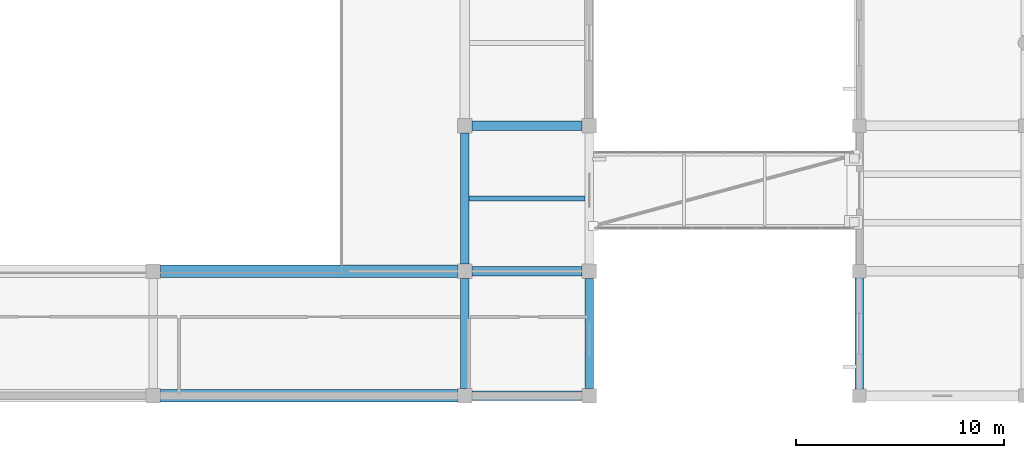
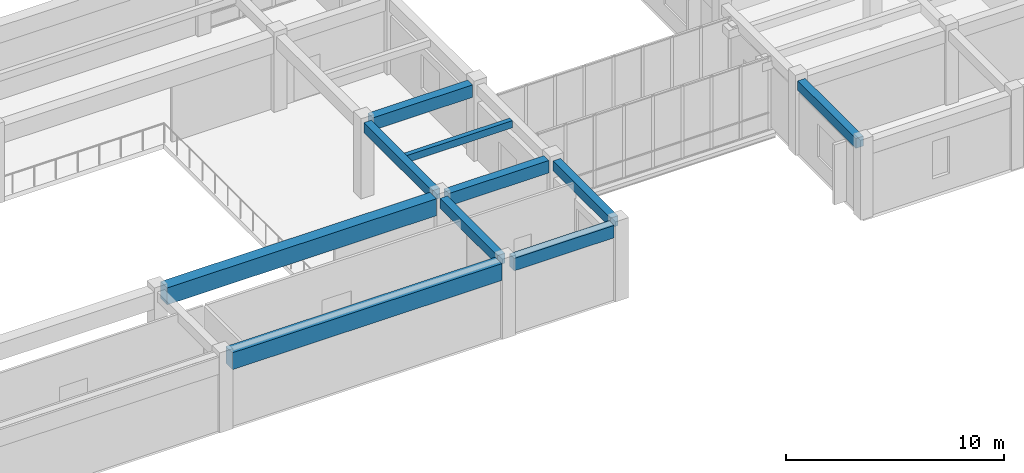
# One storey, part 5 of 70: 10 beams.
"""IFC4 building model written with IfcOpenShell, lengths in metres."""

from ifc_helpers import new_model, si_unit, direction, frame, origin, origin_2d, place, context, subcontext, project, spatial, rectangle, extrude, material, material_profile, profile_set, type_object, element, save


model = new_model("IFC4")

# Units and contexts
model_context = context("Model", 3, precision=1e-05, world=origin(), true_north=direction((0.0, 1.0)))
body_context = subcontext(model_context, "Body", "Model", "MODEL_VIEW")
ifc_project = project(units=[si_unit("LENGTHUNIT", "METRE"), si_unit("AREAUNIT", "SQUARE_METRE"), si_unit("VOLUMEUNIT", "CUBIC_METRE"), si_unit("PLANEANGLEUNIT", "RADIAN"), si_unit("MASSUNIT", "GRAM", prefix="KILO")], contexts=[model_context])

# Site, building, storey
site_placement = place(None, origin())
site = spatial("IfcSite", under=ifc_project, at=site_placement, CompositionType="ELEMENT")
building_placement = place(site_placement, origin())
building = spatial("IfcBuilding", under=site, at=building_placement, Name="Naurynzar Civic Courthouse", CompositionType="ELEMENT")
storey_placement = place(building_placement, frame((0.0, 0.0, 5.39990234375)))
storey = spatial("IfcBuildingStorey", under=building, at=storey_placement, Name="L02", CompositionType="ELEMENT", Elevation=5.39990234375)

# Beams
ifc_material_1 = material(Name="Concrete C40/50", Category="concrete")
ifc_material_profile_1 = material_profile(ifc_material_1, rectangle(XDim=0.25, YDim=0.39990234375, at=origin_2d()), Name="RCB 250x400")
ifc_profile_set_1 = profile_set([ifc_material_profile_1], Name="Concrete C40/50")
beam_type_1 = type_object("IfcBeamType", Name="BM-JST-250x400", PredefinedType="JOIST", material=ifc_profile_set_1)
beam_1_placement = place(storey_placement, frame((50.199951171875, 13.5, 4.030029296875), z_axis=(1.0, 0.0, 0.0), x_axis=(0.0, 1.0, 0.0)))
element("IfcBeam", 1, at=beam_1_placement, inside=storey, type_object=beam_type_1, Name="V4 secondary rib 1850 L02", PredefinedType="JOIST", context=body_context, shape_type="SweptSolid", body=[
    extrude(rectangle(XDim=0.25, YDim=0.39990234375, at=origin_2d()), origin(), (0.0, 0.0, 1.0), 5.60009765625),
])
ifc_material_2 = material(Name="Concrete C40/50", Category="concrete")
ifc_material_profile_2 = material_profile(ifc_material_2, rectangle(XDim=0.60009765625, YDim=0.949951171875, at=origin_2d()), Name="PTB 600x950")
ifc_profile_set_2 = profile_set([ifc_material_profile_2], Name="Concrete C40/50")
beam_type_2 = type_object("IfcBeamType", Name="BM-PT-600x950", PredefinedType="T_BEAM", material=ifc_profile_set_2)
for number, where, z_axis, x_axis, name in (
    (2, (35.35009765625, 4.0, 3.755126953125), (1.0, 0.0, 0.0), (0.0, 1.0, 0.0), "V4 beam X-1806 L02"),
    (3, (35.35009765625, 10.0, 3.755126953125), (1.0, 0.0, 0.0), (0.0, 1.0, 0.0), "V4 beam X-1811 L02"),
):
    element("IfcBeam", number, at=place(storey_placement, frame(where, z_axis=z_axis, x_axis=x_axis)), inside=storey, type_object=beam_type_2, Name=name, PredefinedType="T_BEAM", context=body_context, shape_type="SweptSolid", body=[
        extrude(rectangle(XDim=0.60009765625, YDim=0.949951171875, at=origin_2d()), origin(), (0.0, 0.0, 1.0), 14.2998046875),
    ])
ifc_material_3 = material(Name="Concrete C40/50", Category="concrete")
ifc_material_profile_3 = material_profile(ifc_material_3, rectangle(XDim=0.39990234375, YDim=0.550048828125, at=origin_2d()), Name="RCB 400x550")
ifc_profile_set_3 = profile_set([ifc_material_profile_3], Name="Concrete C40/50")
beam_type_3 = type_object("IfcBeamType", Name="BM-RC-400x550", PredefinedType="BEAM", material=ifc_profile_set_3)
beam_2_placement = place(storey_placement, frame((69.0, 4.324951171875, 3.885009765625), z_axis=(0.0, 1.0, 0.0), x_axis=(-1.0, 0.0, 0.0)))
element("IfcBeam", 4, at=beam_2_placement, inside=storey, type_object=beam_type_3, Name="V3 girder Y-1369 L02", PredefinedType="BEAM", context=body_context, shape_type="SweptSolid", body=[
    extrude(rectangle(XDim=0.39990234375, YDim=0.550048828125, at=origin_2d()), origin(), (0.0, 0.0, 1.0), 5.35009765625),
])
beam_3_placement = place(storey_placement, frame((50.0, 4.35009765625, 3.955078125), z_axis=(0.0, 1.0, 0.0), x_axis=(-1.0, 0.0, 0.0)))
element("IfcBeam", 5, at=beam_3_placement, inside=storey, type_object=beam_type_3, Name="V4 girder Y-1840 L02", PredefinedType="BEAM", context=body_context, shape_type="SweptSolid", body=[
    extrude(rectangle(XDim=0.39990234375, YDim=0.550048828125, at=origin_2d()), origin(), (0.0, 0.0, 1.0), 5.2998046875),
])
beam_4_placement = place(storey_placement, frame((50.0, 10.35009765625, 3.955078125), z_axis=(0.0, 1.0, 0.0), x_axis=(-1.0, 0.0, 0.0)))
element("IfcBeam", 6, at=beam_4_placement, inside=storey, type_object=beam_type_3, Name="V4 girder Y-1841 L02", PredefinedType="BEAM", context=body_context, shape_type="SweptSolid", body=[
    extrude(rectangle(XDim=0.39990234375, YDim=0.550048828125, at=origin_2d()), origin(), (0.0, 0.0, 1.0), 6.2998046875),
])
beam_5_placement = place(storey_placement, frame((56.0, 4.35009765625, 3.955078125), z_axis=(0.0, 1.0, 0.0), x_axis=(-1.0, 0.0, 0.0)))
element("IfcBeam", 7, at=beam_5_placement, inside=storey, type_object=beam_type_3, Name="V4 girder Y-1844 L02", PredefinedType="BEAM", context=body_context, shape_type="SweptSolid", body=[
    extrude(rectangle(XDim=0.39990234375, YDim=0.550048828125, at=origin_2d()), origin(), (0.0, 0.0, 1.0), 5.2998046875),
])
ifc_material_4 = material(Name="Concrete C40/50", Category="concrete")
ifc_material_profile_4 = material_profile(ifc_material_4, rectangle(XDim=0.449951171875, YDim=0.699951171875, at=origin_2d()), Name="RCB 450x700")
ifc_profile_set_4 = profile_set([ifc_material_profile_4], Name="Concrete C40/50")
beam_type_4 = type_object("IfcBeamType", Name="BM-RC-450x700", PredefinedType="BEAM", material=ifc_profile_set_4)
for number, where, z_axis, x_axis, name in (
    (8, (50.35009765625, 4.0, 3.880126953125), (1.0, 0.0, 0.0), (0.0, 1.0, 0.0), "V4 beam X-1807 L02"),
    (9, (50.35009765625, 10.0, 3.880126953125), (1.0, 0.0, 0.0), (0.0, 1.0, 0.0), "V4 beam X-1812 L02"),
    (10, (50.35009765625, 17.0, 3.880126953125), (1.0, 0.0, 0.0), (0.0, 1.0, 0.0), "V4 beam X-1815 L02"),
):
    element("IfcBeam", number, at=place(storey_placement, frame(where, z_axis=z_axis, x_axis=x_axis)), inside=storey, type_object=beam_type_4, Name=name, PredefinedType="BEAM", context=body_context, shape_type="SweptSolid", body=[
        extrude(rectangle(XDim=0.449951171875, YDim=0.699951171875, at=origin_2d()), origin(), (0.0, 0.0, 1.0), 5.2998046875),
    ])

save(model, "model.ifc")
